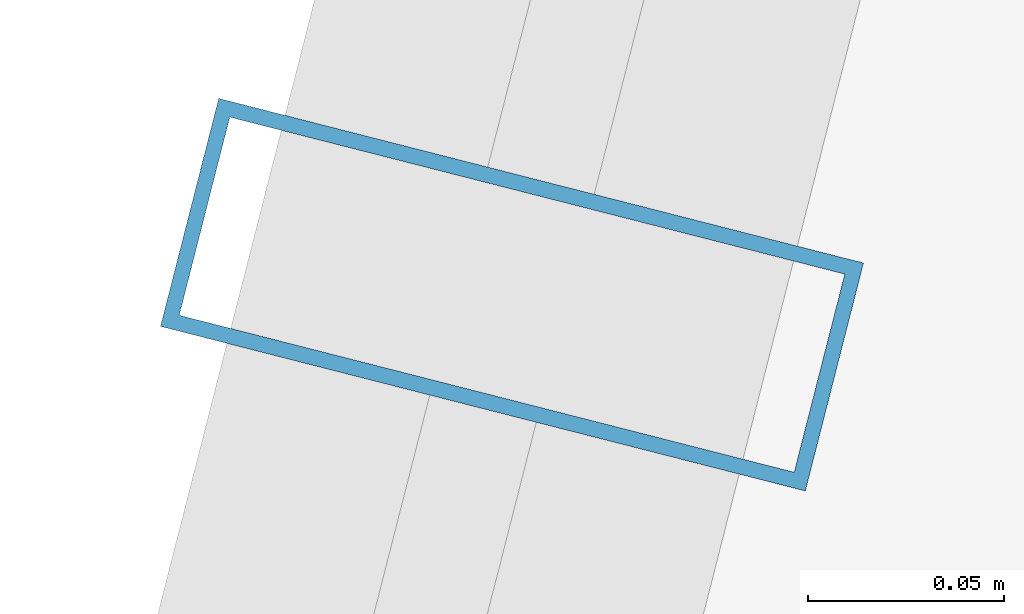
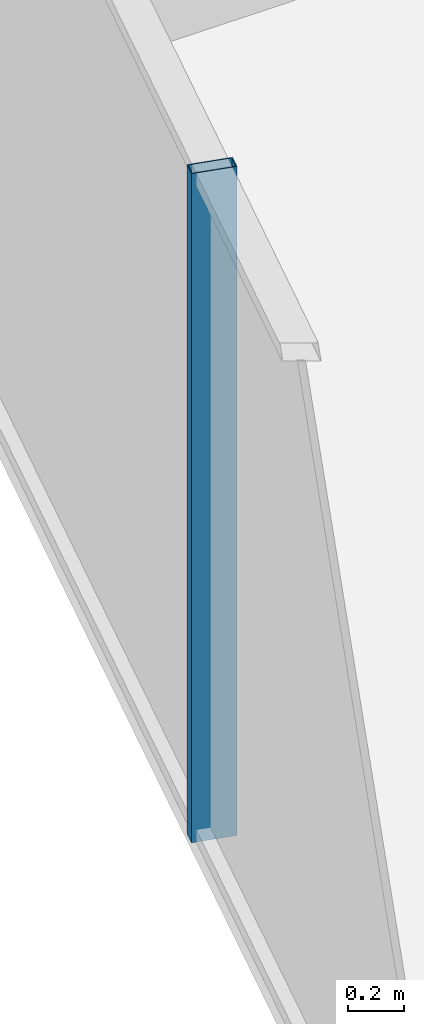
# One storey, part 11 of 39: 1 member, 1 element without a shape of its own.
"""IFC4 building model written with IfcOpenShell, lengths in metres."""

import ifcopenshell
import ifcopenshell.guid

model = None  # the IFC model being written
_history = None  # IfcOwnerHistory: only IFC2X3 demands one
_inside = {}  # id of a spatial element -> (the spatial element, [elements in it])
_under = {}  # id of a project, library or spatial element -> (it, [spatial elements below it])
_declared = {}  # id of a project -> (the project, [libraries it declares])
_typed = {}  # id of a type object -> (the type object, [elements of that type])
_made_of = {}  # id of a material, layer set ... -> (it, [elements and type objects made of it])


def new_model(schema):
    """Start an empty IFC model of exactly this schema.

    Asked for "IFC4X3", IfcOpenShell would pick the latest addendum, in which some entities
    have other attributes; the version numbers below select the first issue.
    IFC2X3 requires an IfcOwnerHistory on every rooted entity: one is made here for all.
    """
    global model, _history
    if schema == "IFC4X3":
        model = ifcopenshell.file(schema_version=(4, 3, 0, 0))
    else:
        model = ifcopenshell.file(schema=schema)
    _inside.clear()
    _under.clear()
    _declared.clear()
    _typed.clear()
    _made_of.clear()
    _history = None
    if model.schema == "IFC2X3":
        org = make("IfcOrganization", Name="unknown")
        user = make(
            "IfcPersonAndOrganization",
            ThePerson=make("IfcPerson", FamilyName="unknown"),
            TheOrganization=org,
        )
        app = make(
            "IfcApplication",
            ApplicationDeveloper=org,
            Version="unknown",
            ApplicationFullName="unknown",
            ApplicationIdentifier="unknown",
        )
        _history = make(
            "IfcOwnerHistory",
            OwningUser=user,
            OwningApplication=app,
            ChangeAction="ADDED",
            CreationDate=0,
        )
    return model


def make(cls, **values):
    """One entity of the class cls with the attributes given. An attribute that is None is left unset."""
    return model.create_entity(
        cls, **{name: value for name, value in values.items() if value is not None}
    )


def rooted(cls, **values):
    """An entity with a GlobalId (a new one), such as an element, a storey or a relation."""
    return make(cls, GlobalId=ifcopenshell.guid.new(), OwnerHistory=_history, **values)


def si_unit(unit_type, name, prefix=None):
    """IfcSIUnit, for example si_unit("LENGTHUNIT", "METRE", prefix="MILLI")."""
    return make("IfcSIUnit", UnitType=unit_type, Prefix=prefix, Name=name)


def assignment(units):
    """IfcUnitAssignment: the units of a project."""
    return None if units is None else make("IfcUnitAssignment", Units=units)


def point(xyz):
    """IfcCartesianPoint."""
    return None if xyz is None else make("IfcCartesianPoint", Coordinates=xyz)


def direction(xyz):
    """IfcDirection."""
    return None if xyz is None else make("IfcDirection", DirectionRatios=xyz)


def frame(location, z_axis=None, x_axis=None):
    """IfcAxis2Placement3D, a coordinate frame: its origin and axes. An axis left out is left unset."""
    return make(
        "IfcAxis2Placement3D",
        Location=point(location),
        Axis=direction(z_axis),
        RefDirection=direction(x_axis),
    )


def frame_2d(location, x_axis=None):
    """IfcAxis2Placement2D, a coordinate frame in the plane: its origin and x axis."""
    return make(
        "IfcAxis2Placement2D", Location=point(location), RefDirection=direction(x_axis)
    )


def origin():
    """The frame at (0, 0, 0) with its axes left unset."""
    return frame((0.0, 0.0, 0.0))


def origin_2d():
    """The frame at (0, 0) in the plane with its x axis left unset."""
    return frame_2d((0.0, 0.0))


def place(relative_to, where):
    """IfcLocalPlacement: puts the frame where relative to a parent placement (None: the world)."""
    return make(
        "IfcLocalPlacement", PlacementRelTo=relative_to, RelativePlacement=where
    )


def context(
    kind, dimensions, precision=None, world=None, true_north=None, identifier=None
):
    """IfcGeometricRepresentationContext, for example the 3D "Model" context."""
    return make(
        "IfcGeometricRepresentationContext",
        ContextIdentifier=identifier,
        ContextType=kind,
        CoordinateSpaceDimension=dimensions,
        Precision=precision,
        WorldCoordinateSystem=world,
        TrueNorth=true_north,
    )


def subcontext(parent, identifier, kind, view, scale=None):
    """IfcGeometricRepresentationSubContext, for example "Body" below "Model"."""
    return make(
        "IfcGeometricRepresentationSubContext",
        ContextIdentifier=identifier,
        ContextType=kind,
        ParentContext=parent,
        TargetScale=scale,
        TargetView=view,
    )


def project(units=None, contexts=None):
    """IfcProject with its units and contexts."""
    return rooted(
        "IfcProject",
        Name="project",
        RepresentationContexts=contexts,
        UnitsInContext=assignment(units),
    )


def spatial(cls, under=None, at=None, **own):
    """A site, building, storey or space (cls), placed at a placement, below another one or the project."""
    s = rooted(cls, ObjectPlacement=at, **own)
    if under is not None:
        _under.setdefault(under.id(), (under, []))[1].append(s)
    return s


def profile(cls, at=None, kind="AREA", **sizes):
    """A parametric profile (cls). Its sizes go by their IFC names, for example OverallWidth=200.0."""
    return make(cls, ProfileType=kind, Position=at, **sizes)


def hollow_rectangle(**sizes):
    """IfcRectangleHollowProfileDef."""
    return profile("IfcRectangleHollowProfileDef", **sizes)


def extrude(swept, where, along, depth):
    """IfcExtrudedAreaSolid: the profile swept, set in the frame where, extruded along a direction by depth."""
    return make(
        "IfcExtrudedAreaSolid",
        SweptArea=swept,
        Position=where,
        ExtrudedDirection=direction(along),
        Depth=depth,
    )


def shape(context_of_items, identifier, shape_type, items):
    """IfcShapeRepresentation: the items that make up one representation, for example the "Body"."""
    return make(
        "IfcShapeRepresentation",
        ContextOfItems=context_of_items,
        RepresentationIdentifier=identifier,
        RepresentationType=shape_type,
        Items=items,
    )


def source(mapping_origin, context_of_items, identifier, shape_type, items):
    """IfcRepresentationMap: a shape defined once, which mapped items show again and again."""
    return make(
        "IfcRepresentationMap",
        MappingOrigin=mapping_origin,
        MappedRepresentation=shape(context_of_items, identifier, shape_type, items),
    )


def transform(
    local_origin,
    x_axis=None,
    y_axis=None,
    z_axis=None,
    scale=None,
    scale2=None,
    scale3=None,
    uniform=True,
):
    """IfcCartesianTransformationOperator3D, or its non-uniform kind. x_axis, y_axis, z_axis: its Axis1, 2, 3."""
    if uniform:
        return make(
            "IfcCartesianTransformationOperator3D",
            Axis1=direction(x_axis),
            Axis2=direction(y_axis),
            LocalOrigin=point(local_origin),
            Scale=scale,
            Axis3=direction(z_axis),
        )
    return make(
        "IfcCartesianTransformationOperator3DnonUniform",
        Axis1=direction(x_axis),
        Axis2=direction(y_axis),
        LocalOrigin=point(local_origin),
        Scale=scale,
        Axis3=direction(z_axis),
        Scale2=scale2,
        Scale3=scale3,
    )


def mapped(mapping_source, mapping_target):
    """IfcMappedItem: shows the shape of a source again, moved by a transform."""
    return make(
        "IfcMappedItem", MappingSource=mapping_source, MappingTarget=mapping_target
    )


def material(Name=None, Category=None):
    """IfcMaterial."""
    return make("IfcMaterial", Name=Name, Category=Category)


def layer(
    of_material, thickness, ventilated=None, Name=None, Category=None, Priority=None
):
    """IfcMaterialLayer: one layer of a wall or slab, of a material (None: an air gap)."""
    return make(
        "IfcMaterialLayer",
        Material=of_material,
        LayerThickness=thickness,
        IsVentilated=ventilated,
        Name=Name,
        Category=Category,
        Priority=Priority,
    )


def layer_set(layers, Name=None):
    """IfcMaterialLayerSet."""
    return make("IfcMaterialLayerSet", MaterialLayers=layers, LayerSetName=Name)


def material_profile(
    of_material, cross_section, Name=None, Category=None, Priority=None
):
    """IfcMaterialProfile: a cross section and its material."""
    return make(
        "IfcMaterialProfile",
        Name=Name,
        Material=of_material,
        Profile=cross_section,
        Priority=Priority,
        Category=Category,
    )


def profile_set(profiles, Name=None, composite=None):
    """IfcMaterialProfileSet."""
    return make(
        "IfcMaterialProfileSet",
        Name=Name,
        MaterialProfiles=profiles,
        CompositeProfile=composite,
    )


def made_of(thing, what):
    """Note that an element or type object is made of a material, layer set ...; save() writes the relation."""
    if what is not None:
        _made_of.setdefault(what.id(), (what, []))[1].append(thing)
    return thing


def type_object(cls, material=None, **own):
    """A type object (cls), such as IfcWallType, which elements share."""
    return made_of(rooted(cls, **own), material)


def element(
    cls,
    number,
    at=None,
    inside=None,
    cuts=None,
    type_object=None,
    material=None,
    context=None,
    identifier="Body",
    shape_type=None,
    held_by="IfcProductDefinitionShape",
    body=None,
    shapes=None,
    **own,
):
    """One element of the class cls, such as IfcWall. Its Tag is "e" and its number.

    at: its placement. inside: the storey or other place that contains it. cuts: it is an
    opening in that element (IfcRelVoidsElement). A single representation is given by context,
    identifier, shape_type and body (its items); several are given by shapes. held_by: the class
    of the entity that holds the representations. save() writes the other relations.
    """
    e = rooted(cls, Tag="e%d" % number, ObjectPlacement=at, **own)
    if body is not None:
        shapes = [shape(context, identifier, shape_type, body)]
    if shapes is not None:
        e.Representation = make(held_by, Representations=shapes)
    if inside is not None:
        _inside.setdefault(inside.id(), (inside, []))[1].append(e)
    if cuts is not None:
        rooted(
            "IfcRelVoidsElement", RelatingBuildingElement=cuts, RelatedOpeningElement=e
        )
    if type_object is not None:
        _typed.setdefault(type_object.id(), (type_object, []))[1].append(e)
    return made_of(e, material)


def aggregate(whole, parts):
    """IfcRelAggregates: a whole, such as a stair, and the parts it consists of."""
    return rooted("IfcRelAggregates", RelatingObject=whole, RelatedObjects=parts)


def save(model, path):
    """Write the relations noted so far, then the file.

    IfcRelAggregates (storeys below a building ...), IfcRelContainedInSpatialStructure (elements
    in a storey), IfcRelDefinesByType, IfcRelAssociatesMaterial and IfcRelDeclares: one each for
    every whole, place, type object, material and project.
    """
    for whole, parts in _under.values():
        aggregate(whole, parts)
    for where, things in _inside.values():
        rooted(
            "IfcRelContainedInSpatialStructure",
            RelatedElements=things,
            RelatingStructure=where,
        )
    for kind, things in _typed.values():
        rooted("IfcRelDefinesByType", RelatedObjects=things, RelatingType=kind)
    for what, things in _made_of.values():
        rooted("IfcRelAssociatesMaterial", RelatedObjects=things, RelatingMaterial=what)
    for by, libraries in _declared.values():
        rooted("IfcRelDeclares", RelatingContext=by, RelatedDefinitions=libraries)
    model.write(path)


model = new_model("IFC4")

# Units and contexts
model_context = context("Model", 3, precision=1e-05, world=origin(), true_north=direction((0.0, 1.0)))
body_context = subcontext(model_context, "Body", "Model", "MODEL_VIEW")
ifc_project = project(units=[si_unit("LENGTHUNIT", "METRE"), si_unit("AREAUNIT", "SQUARE_METRE"), si_unit("VOLUMEUNIT", "CUBIC_METRE"), si_unit("PLANEANGLEUNIT", "RADIAN"), si_unit("MASSUNIT", "GRAM", prefix="KILO")], contexts=[model_context])

# Site, building, storey
site_placement = place(None, origin())
site = spatial("IfcSite", under=ifc_project, at=site_placement, CompositionType="ELEMENT")
building_placement = place(site_placement, origin())
building = spatial("IfcBuilding", under=site, at=building_placement, Name="Veraguas Prism Commons", CompositionType="ELEMENT")
storey_placement = place(building_placement, frame((0.0, 0.0, 77.10009765625)))
storey = spatial("IfcBuildingStorey", under=building, at=storey_placement, Name="L21", CompositionType="ELEMENT", Elevation=77.10009765625)

# Curtain wall, member
ifc_material = material(Name="Anodised aluminium EN AW-6063 T6", Category="aluminium")
ifc_layer = layer(ifc_material, 0.169921875, Name="Unitised Flush Curtain Wall Zone 1", Category="aluminium")
ifc_layer_set = layer_set([ifc_layer], Name="Anodised aluminium EN AW-6063 T6")
curtain_wall_type = type_object("IfcCurtainWallType", Name="Unitised Flush Curtain Wall Zone 1", PredefinedType="NOTDEFINED", material=ifc_layer_set)
curtain_wall_placement = place(storey_placement, origin())
curtain_wall = element("IfcCurtainWall", 1, at=curtain_wall_placement, inside=storey, type_object=curtain_wall_type, Name="Tower Facade Curtain Wall L21-F3", PredefinedType="NOTDEFINED")
ifc_material_profile = material_profile(ifc_material, hollow_rectangle(XDim=0.06005859375, YDim=0.169921875, WallThickness=0.00390625, at=origin_2d()), Name="AL60X170X4")
ifc_profile_set = profile_set([ifc_material_profile], Name="Anodised aluminium EN AW-6063 T6")
member_type = type_object("IfcMemberType", Name="Curtain Wall Mullion Lower AL 60x170x4", PredefinedType="MULLION", material=ifc_profile_set)
shared_shape = source(origin(), body_context, "Body", "SweptSolid", [
    extrude(hollow_rectangle(XDim=0.06005859375, YDim=0.169921875, WallThickness=0.00390625, at=origin_2d()), origin(), (0.0, 0.0, 1.0), 2.929931640625),
])
member_placement = place(storey_placement, frame((3.861083984375, 29.140869140625, 0.0), z_axis=(0.0, 0.0, 1.0), x_axis=(-0.247340630168, -0.968928590077, 0.0)))
member = element("IfcMember", 2, at=member_placement, type_object=member_type, Name="CW-Z1 Mullion 3", PredefinedType="MULLION", context=body_context, shape_type="MappedRepresentation", body=[
    mapped(shared_shape, transform((0.0, 0.0, 0.0), scale=1.0)),
])
aggregate(curtain_wall, [member])

save(model, "model.ifc")
